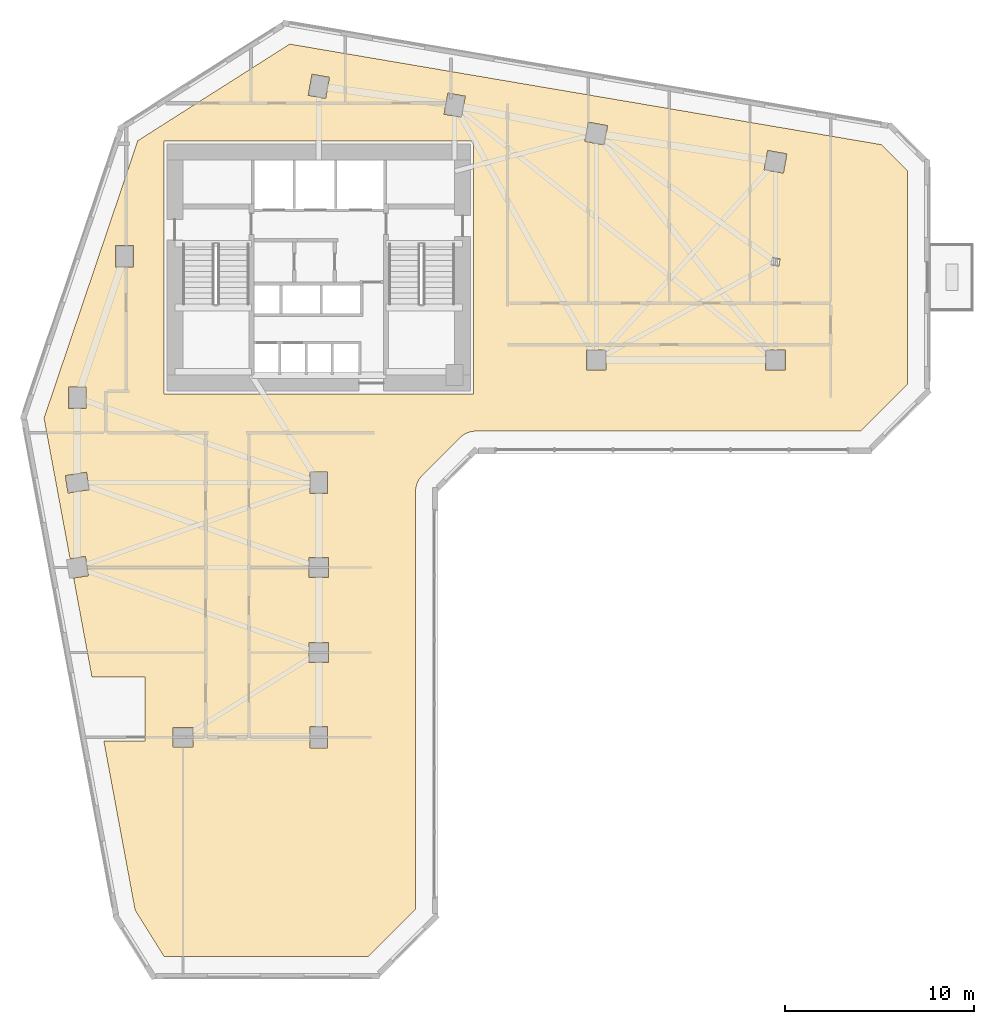
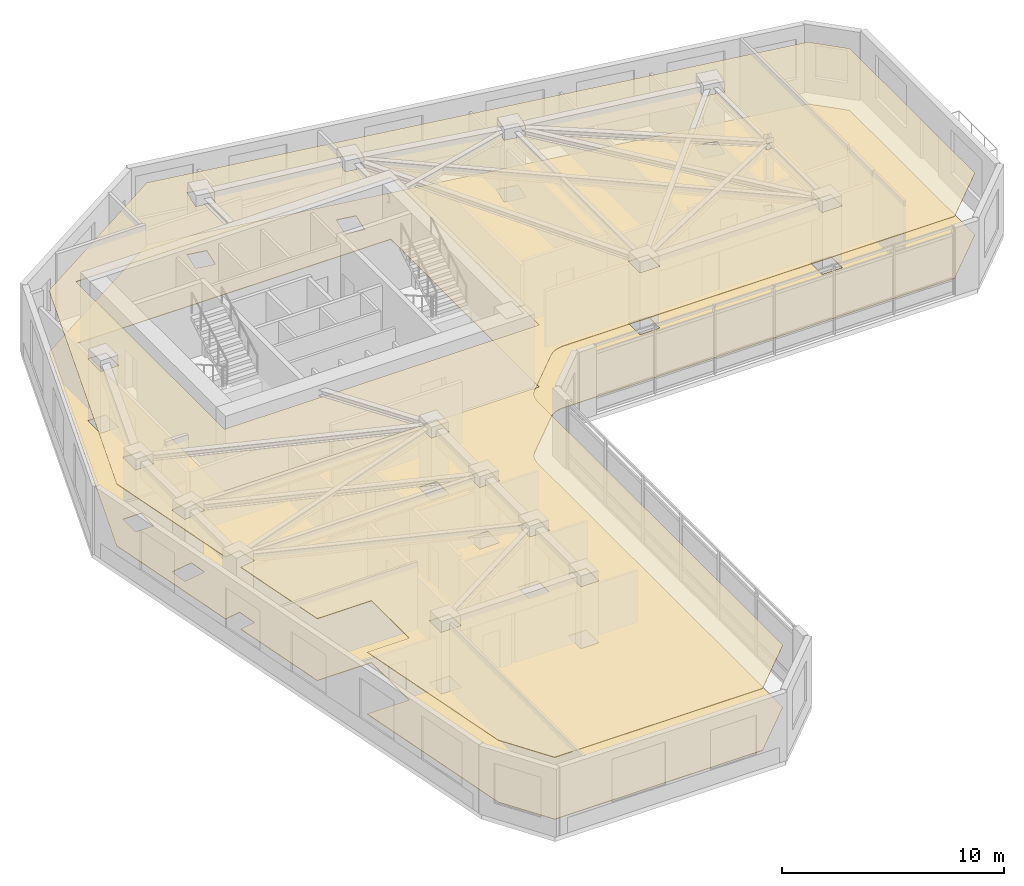
# One storey, part 9 of 11: 2 coverings.
"""IFC4 building model written with IfcOpenShell, lengths in metres."""

import ifcopenshell
import ifcopenshell.guid

model = None  # the IFC model being written
_history = None  # IfcOwnerHistory: only IFC2X3 demands one
_inside = {}  # id of a spatial element -> (the spatial element, [elements in it])
_under = {}  # id of a project, library or spatial element -> (it, [spatial elements below it])
_declared = {}  # id of a project -> (the project, [libraries it declares])
_typed = {}  # id of a type object -> (the type object, [elements of that type])
_made_of = {}  # id of a material, layer set ... -> (it, [elements and type objects made of it])


def new_model(schema):
    """Start an empty IFC model of exactly this schema.

    Asked for "IFC4X3", IfcOpenShell would pick the latest addendum, in which some entities
    have other attributes; the version numbers below select the first issue.
    IFC2X3 requires an IfcOwnerHistory on every rooted entity: one is made here for all.
    """
    global model, _history
    if schema == "IFC4X3":
        model = ifcopenshell.file(schema_version=(4, 3, 0, 0))
    else:
        model = ifcopenshell.file(schema=schema)
    _inside.clear()
    _under.clear()
    _declared.clear()
    _typed.clear()
    _made_of.clear()
    _history = None
    if model.schema == "IFC2X3":
        org = make("IfcOrganization", Name="unknown")
        user = make(
            "IfcPersonAndOrganization",
            ThePerson=make("IfcPerson", FamilyName="unknown"),
            TheOrganization=org,
        )
        app = make(
            "IfcApplication",
            ApplicationDeveloper=org,
            Version="unknown",
            ApplicationFullName="unknown",
            ApplicationIdentifier="unknown",
        )
        _history = make(
            "IfcOwnerHistory",
            OwningUser=user,
            OwningApplication=app,
            ChangeAction="ADDED",
            CreationDate=0,
        )
    return model


def make(cls, **values):
    """One entity of the class cls with the attributes given. An attribute that is None is left unset."""
    return model.create_entity(
        cls, **{name: value for name, value in values.items() if value is not None}
    )


def rooted(cls, **values):
    """An entity with a GlobalId (a new one), such as an element, a storey or a relation."""
    return make(cls, GlobalId=ifcopenshell.guid.new(), OwnerHistory=_history, **values)


def si_unit(unit_type, name, prefix=None):
    """IfcSIUnit, for example si_unit("LENGTHUNIT", "METRE", prefix="MILLI")."""
    return make("IfcSIUnit", UnitType=unit_type, Prefix=prefix, Name=name)


def assignment(units):
    """IfcUnitAssignment: the units of a project."""
    return None if units is None else make("IfcUnitAssignment", Units=units)


def point(xyz):
    """IfcCartesianPoint."""
    return None if xyz is None else make("IfcCartesianPoint", Coordinates=xyz)


def direction(xyz):
    """IfcDirection."""
    return None if xyz is None else make("IfcDirection", DirectionRatios=xyz)


def frame(location, z_axis=None, x_axis=None):
    """IfcAxis2Placement3D, a coordinate frame: its origin and axes. An axis left out is left unset."""
    return make(
        "IfcAxis2Placement3D",
        Location=point(location),
        Axis=direction(z_axis),
        RefDirection=direction(x_axis),
    )


def origin():
    """The frame at (0, 0, 0) with its axes left unset."""
    return frame((0.0, 0.0, 0.0))


def place(relative_to, where):
    """IfcLocalPlacement: puts the frame where relative to a parent placement (None: the world)."""
    return make(
        "IfcLocalPlacement", PlacementRelTo=relative_to, RelativePlacement=where
    )


def context(
    kind, dimensions, precision=None, world=None, true_north=None, identifier=None
):
    """IfcGeometricRepresentationContext, for example the 3D "Model" context."""
    return make(
        "IfcGeometricRepresentationContext",
        ContextIdentifier=identifier,
        ContextType=kind,
        CoordinateSpaceDimension=dimensions,
        Precision=precision,
        WorldCoordinateSystem=world,
        TrueNorth=true_north,
    )


def subcontext(parent, identifier, kind, view, scale=None):
    """IfcGeometricRepresentationSubContext, for example "Body" below "Model"."""
    return make(
        "IfcGeometricRepresentationSubContext",
        ContextIdentifier=identifier,
        ContextType=kind,
        ParentContext=parent,
        TargetScale=scale,
        TargetView=view,
    )


def project(units=None, contexts=None):
    """IfcProject with its units and contexts."""
    return rooted(
        "IfcProject",
        Name="project",
        RepresentationContexts=contexts,
        UnitsInContext=assignment(units),
    )


def spatial(cls, under=None, at=None, **own):
    """A site, building, storey or space (cls), placed at a placement, below another one or the project."""
    s = rooted(cls, ObjectPlacement=at, **own)
    if under is not None:
        _under.setdefault(under.id(), (under, []))[1].append(s)
    return s


def polyline(points):
    """IfcPolyline through the points."""
    return make("IfcPolyline", Points=[point(p) for p in points])


def outline(outer, holes=None, kind="AREA"):
    """IfcArbitraryClosedProfileDef: a profile drawn as a closed curve; with holes, ...WithVoids."""
    if holes is None:
        return make("IfcArbitraryClosedProfileDef", ProfileType=kind, OuterCurve=outer)
    return make(
        "IfcArbitraryProfileDefWithVoids",
        ProfileType=kind,
        OuterCurve=outer,
        InnerCurves=holes,
    )


def extrude(swept, where, along, depth):
    """IfcExtrudedAreaSolid: the profile swept, set in the frame where, extruded along a direction by depth."""
    return make(
        "IfcExtrudedAreaSolid",
        SweptArea=swept,
        Position=where,
        ExtrudedDirection=direction(along),
        Depth=depth,
    )


def shape(context_of_items, identifier, shape_type, items):
    """IfcShapeRepresentation: the items that make up one representation, for example the "Body"."""
    return make(
        "IfcShapeRepresentation",
        ContextOfItems=context_of_items,
        RepresentationIdentifier=identifier,
        RepresentationType=shape_type,
        Items=items,
    )


def material(Name=None, Category=None):
    """IfcMaterial."""
    return make("IfcMaterial", Name=Name, Category=Category)


def layer(
    of_material, thickness, ventilated=None, Name=None, Category=None, Priority=None
):
    """IfcMaterialLayer: one layer of a wall or slab, of a material (None: an air gap)."""
    return make(
        "IfcMaterialLayer",
        Material=of_material,
        LayerThickness=thickness,
        IsVentilated=ventilated,
        Name=Name,
        Category=Category,
        Priority=Priority,
    )


def layer_set(layers, Name=None):
    """IfcMaterialLayerSet."""
    return make("IfcMaterialLayerSet", MaterialLayers=layers, LayerSetName=Name)


def made_of(thing, what):
    """Note that an element or type object is made of a material, layer set ...; save() writes the relation."""
    if what is not None:
        _made_of.setdefault(what.id(), (what, []))[1].append(thing)
    return thing


def type_object(cls, material=None, **own):
    """A type object (cls), such as IfcWallType, which elements share."""
    return made_of(rooted(cls, **own), material)


def element(
    cls,
    number,
    at=None,
    inside=None,
    cuts=None,
    type_object=None,
    material=None,
    context=None,
    identifier="Body",
    shape_type=None,
    held_by="IfcProductDefinitionShape",
    body=None,
    shapes=None,
    **own,
):
    """One element of the class cls, such as IfcWall. Its Tag is "e" and its number.

    at: its placement. inside: the storey or other place that contains it. cuts: it is an
    opening in that element (IfcRelVoidsElement). A single representation is given by context,
    identifier, shape_type and body (its items); several are given by shapes. held_by: the class
    of the entity that holds the representations. save() writes the other relations.
    """
    e = rooted(cls, Tag="e%d" % number, ObjectPlacement=at, **own)
    if body is not None:
        shapes = [shape(context, identifier, shape_type, body)]
    if shapes is not None:
        e.Representation = make(held_by, Representations=shapes)
    if inside is not None:
        _inside.setdefault(inside.id(), (inside, []))[1].append(e)
    if cuts is not None:
        rooted(
            "IfcRelVoidsElement", RelatingBuildingElement=cuts, RelatedOpeningElement=e
        )
    if type_object is not None:
        _typed.setdefault(type_object.id(), (type_object, []))[1].append(e)
    return made_of(e, material)


def aggregate(whole, parts):
    """IfcRelAggregates: a whole, such as a stair, and the parts it consists of."""
    return rooted("IfcRelAggregates", RelatingObject=whole, RelatedObjects=parts)


def save(model, path):
    """Write the relations noted so far, then the file.

    IfcRelAggregates (storeys below a building ...), IfcRelContainedInSpatialStructure (elements
    in a storey), IfcRelDefinesByType, IfcRelAssociatesMaterial and IfcRelDeclares: one each for
    every whole, place, type object, material and project.
    """
    for whole, parts in _under.values():
        aggregate(whole, parts)
    for where, things in _inside.values():
        rooted(
            "IfcRelContainedInSpatialStructure",
            RelatedElements=things,
            RelatingStructure=where,
        )
    for kind, things in _typed.values():
        rooted("IfcRelDefinesByType", RelatedObjects=things, RelatingType=kind)
    for what, things in _made_of.values():
        rooted("IfcRelAssociatesMaterial", RelatedObjects=things, RelatingMaterial=what)
    for by, libraries in _declared.values():
        rooted("IfcRelDeclares", RelatingContext=by, RelatedDefinitions=libraries)
    model.write(path)


model = new_model("IFC4")

# Units and contexts
model_context = context("Model", 3, precision=1e-05, world=origin(), true_north=direction((0.0, 1.0)))
body_context = subcontext(model_context, "Body", "Model", "MODEL_VIEW")
ifc_project = project(units=[si_unit("LENGTHUNIT", "METRE"), si_unit("AREAUNIT", "SQUARE_METRE"), si_unit("VOLUMEUNIT", "CUBIC_METRE"), si_unit("PLANEANGLEUNIT", "RADIAN"), si_unit("MASSUNIT", "GRAM", prefix="KILO")], contexts=[model_context])

# Site, building, storey
site_placement = place(None, origin())
site = spatial("IfcSite", under=ifc_project, at=site_placement, CompositionType="ELEMENT")
building_placement = place(site_placement, origin())
building = spatial("IfcBuilding", under=site, at=building_placement, Name="Calvemar Wedge Station Tower", CompositionType="ELEMENT")
storey_placement = place(building_placement, frame((0.0, 0.0, 83.0)))
storey = spatial("IfcBuildingStorey", under=building, at=storey_placement, Name="L20", CompositionType="ELEMENT", Elevation=83.0)

# Coverings
ifc_material_1 = material(Name="Moisture-resistant gypsum ceiling")
ifc_layer_1 = layer(ifc_material_1, 0.0400390625)
ifc_layer_set_1 = layer_set([ifc_layer_1], Name="Moisture-resistant gypsum ceiling")
covering_type_1 = type_object("IfcCoveringType", Name="COV-CEIL-GYPSUM", PredefinedType="CEILING", material=ifc_layer_set_1)
covering_1_placement = place(storey_placement, frame((0.0, 0.0, 3.39990234375)))
element("IfcCovering", 1, at=covering_1_placement, inside=storey, type_object=covering_type_1, Name="Storey L20 Acoustic Suspended Ceiling", PredefinedType="CEILING", context=body_context, shape_type="SweptSolid", body=[
    extrude(outline(polyline([(29.279541015625, 28.87646484375), (31.279541015625, 30.87646484375), (31.36669921875, 30.95556640625), (31.461181640625, 31.02587890625), (31.562255859375, 31.086181640625), (31.668701171875, 31.13671875), (31.77978515625, 31.17626953125), (31.893798828125, 31.204833984375), (32.010498046875, 31.22216796875), (32.1279296875, 31.22802734375), (52.5029296875, 31.22802734375), (55.0, 33.72509765625), (55.0, 45.031005859375), (53.621826171875, 46.408935546875), (22.25439453125, 51.739501953125), (14.201416015625, 46.614990234375), (9.23681640625, 31.911865234375), (10.6162109375, 24.465087890625), (11.43115234375, 24.595703125), (11.595703125, 23.56884765625), (10.805908203125, 23.4423828125), (11.777099609375, 18.199951171875), (14.60009765625, 18.199951171875), (14.60009765625, 14.800048828125), (12.406982421875, 14.800048828125), (14.06640625, 5.8427734375), (15.593017578125, 3.39990234375), (26.430908203125, 3.39990234375), (28.927978515625, 5.897216796875), (28.927978515625, 28.028076171875), (28.933837890625, 28.1455078125), (28.951171875, 28.26220703125), (28.979736328125, 28.376220703125), (29.019287109375, 28.4873046875), (29.069580078125, 28.59375), (29.130126953125, 28.694580078125), (29.200439453125, 28.789306640625), (29.279541015625, 28.87646484375)]), holes=[polyline([(15.60009765625, 46.60009765625), (32.0, 46.60009765625), (32.0, 33.199951171875), (15.60009765625, 33.199951171875), (15.60009765625, 46.60009765625)]), polyline([(10.530029296875, 32.429931640625), (10.530029296875, 33.570068359375), (11.469970703125, 33.570068359375), (11.469970703125, 32.429931640625), (10.530029296875, 32.429931640625)]), polyline([(13.030029296875, 41.070068359375), (13.969970703125, 41.070068359375), (13.969970703125, 39.929931640625), (13.030029296875, 39.929931640625), (13.030029296875, 41.070068359375)]), polyline([(24.363525390625, 49.977783203125), (24.16162109375, 48.855712890625), (23.236572265625, 49.022216796875), (23.4384765625, 50.144287109375), (24.363525390625, 49.977783203125)]), polyline([(31.361572265625, 47.855712890625), (30.4365234375, 48.022216796875), (30.638427734375, 49.144287109375), (31.5634765625, 48.977783203125), (31.361572265625, 47.855712890625)]), polyline([(37.89599609375, 46.580322265625), (38.080322265625, 47.60400390625), (39.10400390625, 47.419677734375), (38.919677734375, 46.39599609375), (37.89599609375, 46.580322265625)]), polyline([(47.580322265625, 46.10400390625), (48.60400390625, 45.919677734375), (48.419677734375, 44.89599609375), (47.39599609375, 45.080322265625), (47.580322265625, 46.10400390625)]), polyline([(39.02001953125, 35.52001953125), (39.02001953125, 34.47998046875), (37.97998046875, 34.47998046875), (37.97998046875, 35.52001953125), (39.02001953125, 35.52001953125)]), polyline([(48.52001953125, 34.47998046875), (47.47998046875, 34.47998046875), (47.47998046875, 35.52001953125), (48.52001953125, 35.52001953125), (48.52001953125, 34.47998046875)]), polyline([(47.759765625, 40.033935546875), (47.832763671875, 40.439453125), (48.240234375, 40.3662109375), (48.167236328125, 39.960693359375), (47.759765625, 40.033935546875)]), polyline([(11.488525390625, 29.05419921875), (11.63720703125, 28.126220703125), (10.511474609375, 27.94580078125), (10.36279296875, 28.873779296875), (11.488525390625, 29.05419921875)]), polyline([(24.27001953125, 27.929931640625), (23.330078125, 27.929931640625), (23.330078125, 29.070068359375), (24.27001953125, 29.070068359375), (24.27001953125, 27.929931640625)]), polyline([(23.280029296875, 23.47998046875), (23.280029296875, 24.52001953125), (24.320068359375, 24.52001953125), (24.320068359375, 23.47998046875), (23.280029296875, 23.47998046875)]), polyline([(23.280029296875, 20.02001953125), (24.320068359375, 20.02001953125), (24.320068359375, 18.97998046875), (23.280029296875, 18.97998046875), (23.280029296875, 20.02001953125)]), polyline([(24.27001953125, 15.570068359375), (24.27001953125, 14.429931640625), (23.330078125, 14.429931640625), (23.330078125, 15.570068359375), (24.27001953125, 15.570068359375)]), polyline([(17.1201171875, 14.47998046875), (16.080078125, 14.47998046875), (16.080078125, 15.52001953125), (17.1201171875, 15.52001953125), (17.1201171875, 14.47998046875)])]), origin(), (0.0, 0.0, 1.0), 0.0400390625),
])
ifc_material_2 = material(Name="Commercial raised access floor")
ifc_layer_2 = layer(ifc_material_2, 0.030029296875)
ifc_layer_set_2 = layer_set([ifc_layer_2], Name="Commercial raised access floor")
covering_type_2 = type_object("IfcCoveringType", Name="COV-FLR-RAISED", PredefinedType="FLOORING", material=ifc_layer_set_2)
covering_2_placement = place(storey_placement, origin())
element("IfcCovering", 2, at=covering_2_placement, inside=storey, type_object=covering_type_2, Name="Storey L20 Architectural Floor Finish", PredefinedType="FLOORING", context=body_context, shape_type="SweptSolid", body=[
    extrude(outline(polyline([(29.279541015625, 28.87646484375), (31.279541015625, 30.87646484375), (31.36669921875, 30.95556640625), (31.461181640625, 31.02587890625), (31.562255859375, 31.086181640625), (31.668701171875, 31.13671875), (31.77978515625, 31.17626953125), (31.893798828125, 31.204833984375), (32.010498046875, 31.22216796875), (32.1279296875, 31.22802734375), (52.5029296875, 31.22802734375), (55.0, 33.72509765625), (55.0, 45.031005859375), (53.621826171875, 46.408935546875), (22.25439453125, 51.739501953125), (14.201416015625, 46.614990234375), (9.23681640625, 31.911865234375), (10.6162109375, 24.465087890625), (11.43115234375, 24.595703125), (11.595703125, 23.56884765625), (10.805908203125, 23.4423828125), (11.777099609375, 18.199951171875), (14.60009765625, 18.199951171875), (14.60009765625, 14.800048828125), (12.406982421875, 14.800048828125), (14.06640625, 5.8427734375), (15.593017578125, 3.39990234375), (26.430908203125, 3.39990234375), (28.927978515625, 5.897216796875), (28.927978515625, 28.028076171875), (28.933837890625, 28.1455078125), (28.951171875, 28.26220703125), (28.979736328125, 28.376220703125), (29.019287109375, 28.4873046875), (29.069580078125, 28.59375), (29.130126953125, 28.694580078125), (29.200439453125, 28.789306640625), (29.279541015625, 28.87646484375)]), holes=[polyline([(15.60009765625, 46.60009765625), (32.0, 46.60009765625), (32.0, 33.199951171875), (15.60009765625, 33.199951171875), (15.60009765625, 46.60009765625)]), polyline([(10.530029296875, 32.429931640625), (10.530029296875, 33.570068359375), (11.469970703125, 33.570068359375), (11.469970703125, 32.429931640625), (10.530029296875, 32.429931640625)]), polyline([(13.030029296875, 41.070068359375), (13.969970703125, 41.070068359375), (13.969970703125, 39.929931640625), (13.030029296875, 39.929931640625), (13.030029296875, 41.070068359375)]), polyline([(24.363525390625, 49.977783203125), (24.16162109375, 48.855712890625), (23.236572265625, 49.022216796875), (23.4384765625, 50.144287109375), (24.363525390625, 49.977783203125)]), polyline([(31.361572265625, 47.855712890625), (30.4365234375, 48.022216796875), (30.638427734375, 49.144287109375), (31.5634765625, 48.977783203125), (31.361572265625, 47.855712890625)]), polyline([(37.89599609375, 46.580322265625), (38.080322265625, 47.60400390625), (39.10400390625, 47.419677734375), (38.919677734375, 46.39599609375), (37.89599609375, 46.580322265625)]), polyline([(47.580322265625, 46.10400390625), (48.60400390625, 45.919677734375), (48.419677734375, 44.89599609375), (47.39599609375, 45.080322265625), (47.580322265625, 46.10400390625)]), polyline([(39.02001953125, 35.52001953125), (39.02001953125, 34.47998046875), (37.97998046875, 34.47998046875), (37.97998046875, 35.52001953125), (39.02001953125, 35.52001953125)]), polyline([(48.52001953125, 34.47998046875), (47.47998046875, 34.47998046875), (47.47998046875, 35.52001953125), (48.52001953125, 35.52001953125), (48.52001953125, 34.47998046875)]), polyline([(47.759765625, 40.033935546875), (47.832763671875, 40.439453125), (48.240234375, 40.3662109375), (48.167236328125, 39.960693359375), (47.759765625, 40.033935546875)]), polyline([(11.488525390625, 29.05419921875), (11.63720703125, 28.126220703125), (10.511474609375, 27.94580078125), (10.36279296875, 28.873779296875), (11.488525390625, 29.05419921875)]), polyline([(24.27001953125, 27.929931640625), (23.330078125, 27.929931640625), (23.330078125, 29.070068359375), (24.27001953125, 29.070068359375), (24.27001953125, 27.929931640625)]), polyline([(23.280029296875, 23.47998046875), (23.280029296875, 24.52001953125), (24.320068359375, 24.52001953125), (24.320068359375, 23.47998046875), (23.280029296875, 23.47998046875)]), polyline([(23.280029296875, 20.02001953125), (24.320068359375, 20.02001953125), (24.320068359375, 18.97998046875), (23.280029296875, 18.97998046875), (23.280029296875, 20.02001953125)]), polyline([(24.27001953125, 15.570068359375), (24.27001953125, 14.429931640625), (23.330078125, 14.429931640625), (23.330078125, 15.570068359375), (24.27001953125, 15.570068359375)]), polyline([(17.1201171875, 14.47998046875), (16.080078125, 14.47998046875), (16.080078125, 15.52001953125), (17.1201171875, 15.52001953125), (17.1201171875, 14.47998046875)])]), origin(), (0.0, 0.0, 1.0), 0.030029296875),
])

save(model, "model.ifc")
